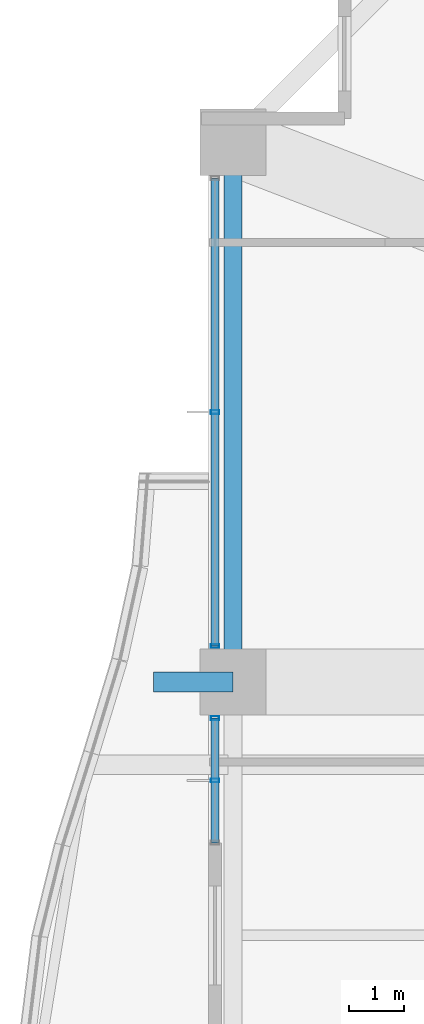
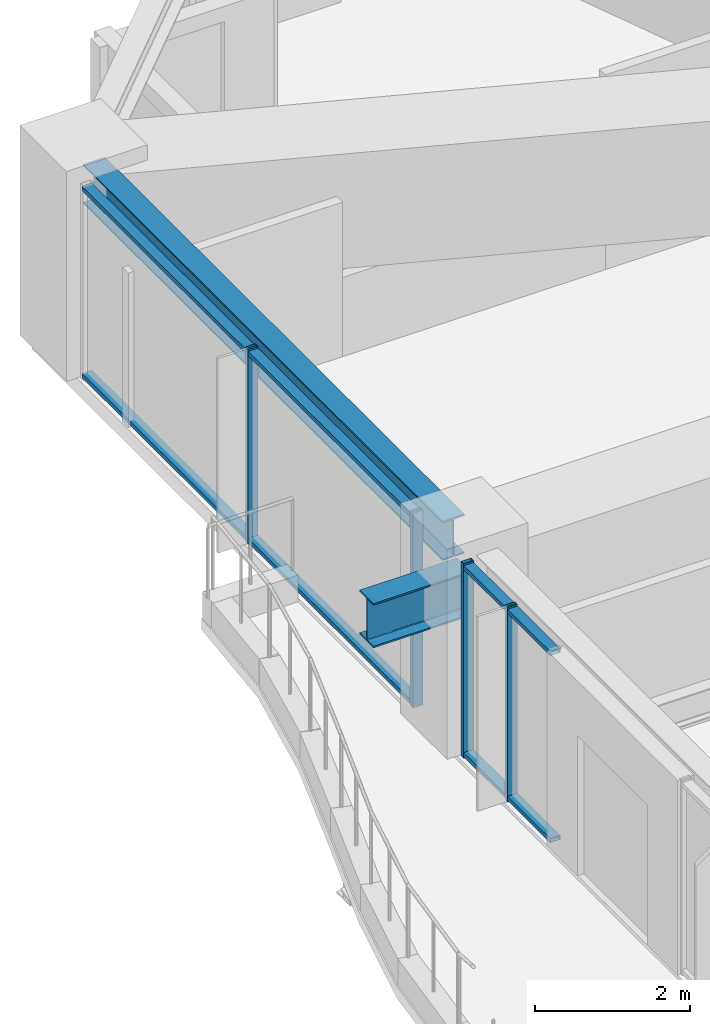
# One storey, part 10 of 39: 8 members, 2 beams, 2 elements without a shape of their own.
"""IFC4 building model written with IfcOpenShell, lengths in metres."""

from ifc_helpers import new_model, si_unit, direction, frame, origin, origin_2d, place, context, subcontext, project, spatial, hollow_rectangle, i_section, extrude, material, material_profile, profile_set, type_object, element, aggregate, save


model = new_model("IFC4")

# Units and contexts
model_context = context("Model", 3, precision=1e-05, world=origin(), true_north=direction((0.0, 1.0)))
body_context = subcontext(model_context, "Body", "Model", "MODEL_VIEW")
ifc_project = project(units=[si_unit("LENGTHUNIT", "METRE"), si_unit("AREAUNIT", "SQUARE_METRE"), si_unit("VOLUMEUNIT", "CUBIC_METRE"), si_unit("PLANEANGLEUNIT", "RADIAN"), si_unit("MASSUNIT", "GRAM", prefix="KILO")], contexts=[model_context])

# Site, building, storey
site_placement = place(None, origin())
site = spatial("IfcSite", under=ifc_project, at=site_placement, CompositionType="ELEMENT")
building_placement = place(site_placement, origin())
building = spatial("IfcBuilding", under=site, at=building_placement, Name="Kolvaren Belvedere", CompositionType="ELEMENT")
storey_placement = place(building_placement, frame((0.0, 0.0, 40.300048828125)))
storey = spatial("IfcBuildingStorey", under=building, at=storey_placement, Name="L11", CompositionType="ELEMENT", Elevation=40.300048828125)

# Beams
ifc_material_1 = material(Name="Structural steel ASTM A992 Grade 50", Category="steel")
ifc_material_profile_1 = material_profile(ifc_material_1, i_section(OverallWidth=0.35498046875, OverallDepth=0.696044921875, WebThickness=0.015380859375, FlangeThickness=0.02490234375, FilletRadius=0.02197265625, at=origin_2d()), Name="W27X146")
ifc_profile_set_1 = profile_set([ifc_material_profile_1], Name="Structural steel ASTM A992 Grade 50")
beam_type_1 = type_object("IfcBeamType", Name="BM-CANT-BAL", PredefinedType="BEAM", material=ifc_profile_set_1)
beam_1_placement = place(storey_placement, frame((-21.550048828125, 4.60009765625, 2.141845703125), z_axis=(-1.0, 0.0, 0.0), x_axis=(0.0, -1.0, 0.0)))
element("IfcBeam", 1, at=beam_1_placement, inside=storey, type_object=beam_type_1, Name="L11 West Picture-Frame Column Corbel P", PredefinedType="BEAM", context=body_context, shape_type="SweptSolid", body=[
    extrude(i_section(OverallWidth=0.35498046875, OverallDepth=0.696044921875, WebThickness=0.015380859375, FlangeThickness=0.02490234375, FilletRadius=0.02197265625, at=origin_2d()), origin(), (0.0, 0.0, 1.0), 1.449951171875),
])
ifc_material_2 = material(Name="Structural steel ASTM A992 Grade 50", Category="steel")
ifc_material_profile_2 = material_profile(ifc_material_2, i_section(OverallWidth=0.324951171875, OverallDepth=0.615966796875, WebThickness=0.013916015625, FlangeThickness=0.021484375, FilletRadius=0.02001953125, at=origin_2d()), Name="W24X117")
ifc_profile_set_2 = profile_set([ifc_material_profile_2], Name="Structural steel ASTM A992 Grade 50")
beam_type_2 = type_object("IfcBeamType", Name="BM-SPAN-W24X117", PredefinedType="SPANDREL", material=ifc_profile_set_2)
beam_2_placement = place(storey_placement, frame((-21.550048828125, 14.1298828125, 2.751953125), z_axis=(0.0, -1.0, 0.0), x_axis=(1.0, 0.0, 0.0)))
element("IfcBeam", 2, at=beam_2_placement, inside=storey, type_object=beam_type_2, Name="L11 Perimeter Spandrel W4-W3", PredefinedType="SPANDREL", context=body_context, shape_type="SweptSolid", body=[
    extrude(i_section(OverallWidth=0.324951171875, OverallDepth=0.615966796875, WebThickness=0.013916015625, FlangeThickness=0.021484375, FilletRadius=0.02001953125, at=origin_2d()), origin(), (0.0, 0.0, 1.0), 9.259765625),
])

# Curtain wall, members
ifc_material_3 = material(Name="Anodised pale-metal aluminium AA 6063-T6", Category="aluminium")
curtain_wall_type = type_object("IfcCurtainWallType", Name="CW-Z1-LOW", PredefinedType="NOTDEFINED", material=ifc_material_3)
curtain_wall_1_placement = place(storey_placement, origin())
curtain_wall_1 = element("IfcCurtainWall", 3, at=curtain_wall_1_placement, inside=storey, type_object=curtain_wall_type, Name="L11 Unitised Curtain Wall FCW-L11-W2-B1", PredefinedType="NOTDEFINED")
ifc_material_4 = material(Name="Anodised pale-metal aluminium AA 6063-T6", Category="aluminium")
ifc_material_profile_3 = material_profile(ifc_material_4, hollow_rectangle(XDim=0.070068359375, YDim=0.14990234375, WallThickness=0.004150390625, at=origin_2d()), Name="ALU-MUL-150X70")
ifc_profile_set_3 = profile_set([ifc_material_profile_3], Name="Anodised pale-metal aluminium AA 6063-T6")
member_type_1 = type_object("IfcMemberType", Name="CW-MUL-150", PredefinedType="MULLION", material=ifc_profile_set_3)
member_1_placement = place(storey_placement, frame((-21.8798828125, 2.8125, 0.0), z_axis=(0.0, 0.0, 1.0), x_axis=(0.0, 1.0, 0.0)))
member_1 = element("IfcMember", 4, at=member_1_placement, type_object=member_type_1, Name="FCW-L11-W2-B1 Unitised Mullion 2", PredefinedType="MULLION", context=body_context, shape_type="SweptSolid", body=[
    extrude(hollow_rectangle(XDim=0.070068359375, YDim=0.14990234375, WallThickness=0.004150390625, at=origin_2d()), origin(), (0.0, 0.0, 1.0), 3.06005859375),
])
member_2_placement = place(storey_placement, frame((-21.8798828125, 3.945068359375, 0.0), z_axis=(0.0, 0.0, 1.0), x_axis=(0.0, 1.0, 0.0)))
member_2 = element("IfcMember", 5, at=member_2_placement, type_object=member_type_1, Name="FCW-L11-W2-B1 Unitised Mullion 3", PredefinedType="MULLION", context=body_context, shape_type="SweptSolid", body=[
    extrude(hollow_rectangle(XDim=0.070068359375, YDim=0.14990234375, WallThickness=0.004150390625, at=origin_2d()), origin(), (0.0, 0.0, 1.0), 3.06005859375),
])

curtain_wall_2_placement = place(storey_placement, origin())
curtain_wall_2 = element("IfcCurtainWall", 6, at=curtain_wall_2_placement, inside=storey, type_object=curtain_wall_type, Name="L11 Unitised Curtain Wall FCW-L11-W2-B2", PredefinedType="NOTDEFINED")
member_3_placement = place(storey_placement, frame((-21.8798828125, 5.2548828125, 0.0), z_axis=(0.0, 0.0, 1.0), x_axis=(0.0, 1.0, 0.0)))
member_3 = element("IfcMember", 7, at=member_3_placement, type_object=member_type_1, Name="FCW-L11-W2-B2 Unitised Mullion 1", PredefinedType="MULLION", context=body_context, shape_type="SweptSolid", body=[
    extrude(hollow_rectangle(XDim=0.070068359375, YDim=0.14990234375, WallThickness=0.004150390625, at=origin_2d()), origin(), (0.0, 0.0, 1.0), 3.06005859375),
])
member_4_placement = place(storey_placement, frame((-21.8798828125, 9.5, 0.0), z_axis=(0.0, 0.0, 1.0), x_axis=(0.0, 1.0, 0.0)))
member_4 = element("IfcMember", 8, at=member_4_placement, type_object=member_type_1, Name="FCW-L11-W2-B2 Unitised Mullion 2", PredefinedType="MULLION", context=body_context, shape_type="SweptSolid", body=[
    extrude(hollow_rectangle(XDim=0.070068359375, YDim=0.14990234375, WallThickness=0.004150390625, at=origin_2d()), origin(), (0.0, 0.0, 1.0), 3.06005859375),
])

# Member
ifc_material_5 = material(Name="Anodised pale-metal aluminium AA 6063-T6", Category="aluminium")
ifc_material_profile_4 = material_profile(ifc_material_5, hollow_rectangle(XDim=0.06494140625, YDim=0.14990234375, WallThickness=0.00390625, at=origin_2d()), Name="ALU-TRN-150X65")
ifc_profile_set_4 = profile_set([ifc_material_profile_4], Name="Anodised pale-metal aluminium AA 6063-T6")
member_type_2 = type_object("IfcMemberType", Name="CW-TRN-150", PredefinedType="USERDEFINED", material=ifc_profile_set_4)
member_5_placement = place(storey_placement, frame((-21.8798828125, 1.679931640625, 0.06005859375), z_axis=(0.0, 1.0, 0.0), x_axis=(0.0, 0.0, 1.0)))
member_5 = element("IfcMember", 9, at=member_5_placement, type_object=member_type_2, Name="FCW-L11-W2-B1 Sill Transom", ObjectType="TRANSOM", PredefinedType="USERDEFINED", context=body_context, shape_type="SweptSolid", body=[
    extrude(hollow_rectangle(XDim=0.06494140625, YDim=0.14990234375, WallThickness=0.00390625, at=origin_2d()), origin(), (0.0, 0.0, 1.0), 2.26513671875),
])

member_6_placement = place(storey_placement, frame((-21.8798828125, 1.679931640625, 3.0), z_axis=(0.0, 1.0, 0.0), x_axis=(0.0, 0.0, 1.0)))
member_6 = element("IfcMember", 10, at=member_6_placement, type_object=member_type_2, Name="FCW-L11-W2-B1 Head Transom", ObjectType="TRANSOM", PredefinedType="USERDEFINED", context=body_context, shape_type="SweptSolid", body=[
    extrude(hollow_rectangle(XDim=0.06494140625, YDim=0.14990234375, WallThickness=0.00390625, at=origin_2d()), origin(), (0.0, 0.0, 1.0), 2.26513671875),
])

aggregate(curtain_wall_1, [member_1, member_2, member_5, member_6])

member_7_placement = place(storey_placement, frame((-21.8798828125, 5.2548828125, 0.06005859375), z_axis=(0.0, 1.0, 0.0), x_axis=(0.0, 0.0, 1.0)))
member_7 = element("IfcMember", 11, at=member_7_placement, type_object=member_type_2, Name="FCW-L11-W2-B2 Sill Transom", ObjectType="TRANSOM", PredefinedType="USERDEFINED", context=body_context, shape_type="SweptSolid", body=[
    extrude(hollow_rectangle(XDim=0.06494140625, YDim=0.14990234375, WallThickness=0.00390625, at=origin_2d()), origin(), (0.0, 0.0, 1.0), 8.490234375),
])

member_8_placement = place(storey_placement, frame((-21.8798828125, 5.2548828125, 3.0), z_axis=(0.0, 1.0, 0.0), x_axis=(0.0, 0.0, 1.0)))
member_8 = element("IfcMember", 12, at=member_8_placement, type_object=member_type_2, Name="FCW-L11-W2-B2 Head Transom", ObjectType="TRANSOM", PredefinedType="USERDEFINED", context=body_context, shape_type="SweptSolid", body=[
    extrude(hollow_rectangle(XDim=0.06494140625, YDim=0.14990234375, WallThickness=0.00390625, at=origin_2d()), origin(), (0.0, 0.0, 1.0), 8.490234375),
])

aggregate(curtain_wall_2, [member_3, member_4, member_7, member_8])

save(model, "model.ifc")
